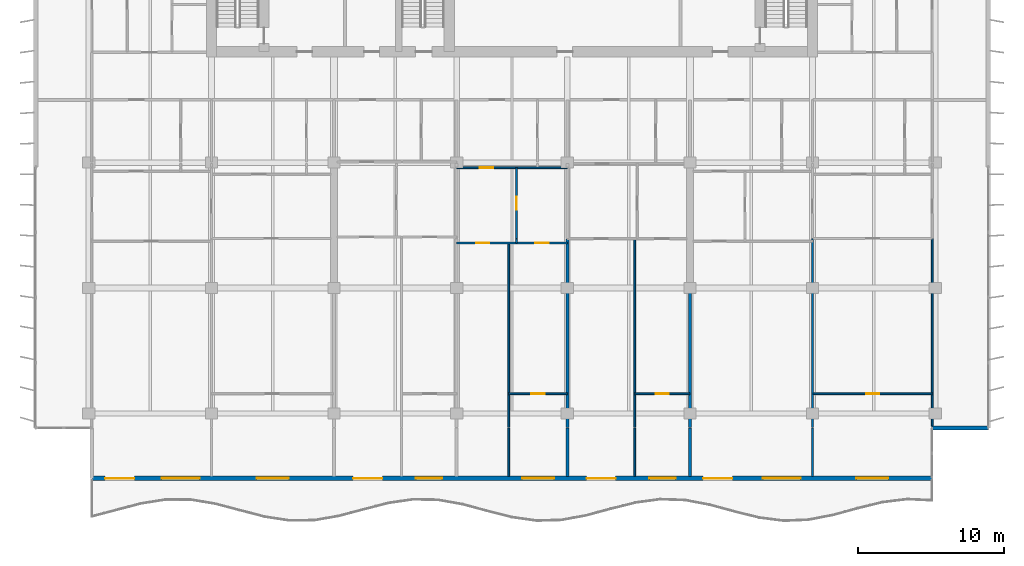
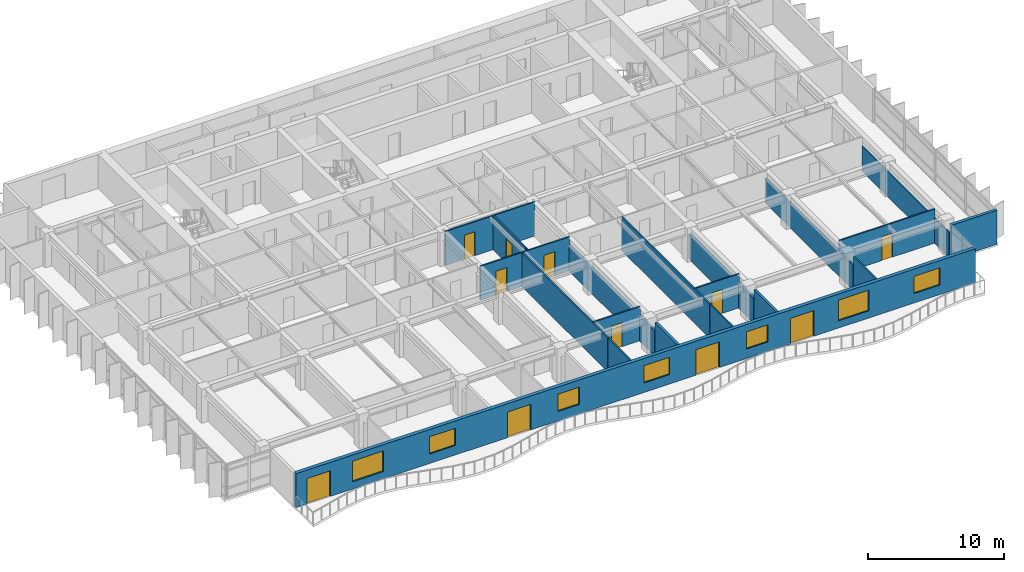
# One storey, part 9 of 18: 20 walls, 11 doors, 7 windows, 18 openings.
"""IFC4 building model written with IfcOpenShell, lengths in metres."""

from ifc_helpers import new_model, si_unit, direction, frame, frame_2d, origin, place, context, subcontext, project, spatial, rectangle, extrude, material, layer, layer_set, type_object, element, fill, save


model = new_model("IFC4")

# Units and contexts
model_context = context("Model", 3, precision=1e-05, world=origin(), true_north=direction((0.0, 1.0)))
body_context = subcontext(model_context, "Body", "Model", "MODEL_VIEW")
ifc_project = project(units=[si_unit("LENGTHUNIT", "METRE"), si_unit("AREAUNIT", "SQUARE_METRE"), si_unit("VOLUMEUNIT", "CUBIC_METRE"), si_unit("PLANEANGLEUNIT", "RADIAN"), si_unit("MASSUNIT", "GRAM", prefix="KILO")], contexts=[model_context])

# Site, building, storey
site_placement = place(None, origin())
site = spatial("IfcSite", under=ifc_project, at=site_placement, CompositionType="ELEMENT")
building_placement = place(site_placement, origin())
building = spatial("IfcBuilding", under=site, at=building_placement, Name="Caelmar Bay Residences", CompositionType="ELEMENT")
storey_placement = place(building_placement, frame((0.0, 0.0, 170.39990234375)))
storey = spatial("IfcBuildingStorey", under=building, at=storey_placement, Name="L47", CompositionType="ELEMENT", Elevation=170.39990234375)

# Wall
ifc_material_1 = material(Name="Precast concrete f'c 40 MPa (6,000 psi)", Category="concrete")
ifc_layer_1 = layer(ifc_material_1, 0.25)
ifc_layer_set_1 = layer_set([ifc_layer_1], Name="Precast concrete f'c 40 MPa (6,000 psi)")
wall_type_1 = type_object("IfcWallType", Name="W-EXT-250", PredefinedType="ELEMENTEDWALL", material=ifc_layer_set_1)
wall_1_placement = place(storey_placement, frame((67.699951171875, 11.199951171875, 0.0), z_axis=(0.0, 0.0, 1.0), x_axis=(1.0, 0.0, 0.0)))
element("IfcWall", 1, at=wall_1_placement, inside=storey, type_object=wall_type_1, Name="L47 SE Notch Return Wall", PredefinedType="ELEMENTEDWALL", context=body_context, shape_type="SweptSolid", body=[
    extrude(rectangle(XDim=3.85009765625, YDim=0.25, at=frame_2d((1.925048828125, 0.0))), origin(), (0.0, 0.0, 1.0), 3.050048828125),
])

# Wall, openings, doors, windows
ifc_layer_2 = layer(ifc_material_1, 0.300048828125)
ifc_layer_set_2 = layer_set([ifc_layer_2], Name="Precast concrete f'c 40 MPa (6,000 psi)")
wall_type_2 = type_object("IfcWallType", Name="W-EXT-300", PredefinedType="STANDARD", material=ifc_layer_set_2)
wall_2_placement = place(storey_placement, frame((67.699951171875, 7.75, 0.0), z_axis=(0.0, 0.0, 1.0), x_axis=(-1.0, 0.0, 0.0)))
wall_2 = element("IfcWall", 2, at=wall_2_placement, inside=storey, type_object=wall_type_2, Name="L47 South Bayfront Exterior Wall", PredefinedType="STANDARD", context=body_context, shape_type="SweptSolid", body=[
    extrude(rectangle(XDim=57.599853515625, YDim=0.300048828125, at=frame_2d((28.7998046875, 0.0))), origin(), (0.0, 0.0, 1.0), 3.050048828125),
])
opening_1_placement = place(wall_2_placement, frame((54.68994140625, 0.0, 0.0)))
opening_1 = element("IfcOpeningElement", 3, at=opening_1_placement, cuts=wall_2, Name="Opening L47-BD01", PredefinedType="OPENING", context=body_context, shape_type="SweptSolid", body=[
    extrude(rectangle(XDim=2.0, YDim=2.300048828125, at=frame_2d((1.0, 1.14990234375))), frame((0.0, 0.159912109375, 0.0), z_axis=(0.0, -1.0, 0.0), x_axis=(1.0, 0.0, 0.0)), (0.0, 0.0, 1.0), 0.320068359375),
])
opening_2_placement = place(wall_2_placement, frame((50.2099609375, 0.0, 0.64990234375)))
opening_2 = element("IfcOpeningElement", 4, at=opening_2_placement, cuts=wall_2, Name="Opening WN3", PredefinedType="OPENING", context=body_context, shape_type="SweptSolid", body=[
    extrude(rectangle(XDim=2.60009765625, YDim=1.85009765625, at=frame_2d((1.300048828125, 0.925048828125))), frame((0.0, 0.159912109375, 0.0), z_axis=(0.0, -1.0, 0.0), x_axis=(1.0, 0.0, 0.0)), (0.0, 0.0, 1.0), 0.320068359375),
])
opening_3_placement = place(wall_2_placement, frame((44.10009765625, 0.0, 0.85009765625)))
opening_3 = element("IfcOpeningElement", 5, at=opening_3_placement, cuts=wall_2, Name="Opening WN2", PredefinedType="OPENING", context=body_context, shape_type="SweptSolid", body=[
    extrude(rectangle(XDim=2.199951171875, YDim=1.550048828125, at=frame_2d((1.10009765625, 0.77490234375))), frame((0.0, 0.159912109375, 0.0), z_axis=(0.0, -1.0, 0.0), x_axis=(1.0, 0.0, 0.0)), (0.0, 0.0, 1.0), 0.320068359375),
])
opening_4_placement = place(wall_2_placement, frame((37.68994140625, 0.0, 0.0)))
opening_4 = element("IfcOpeningElement", 6, at=opening_4_placement, cuts=wall_2, Name="Opening L47-BD02", PredefinedType="OPENING", context=body_context, shape_type="SweptSolid", body=[
    extrude(rectangle(XDim=2.0, YDim=2.300048828125, at=frame_2d((1.0, 1.14990234375))), frame((0.0, 0.159912109375, 0.0), z_axis=(0.0, -1.0, 0.0), x_axis=(1.0, 0.0, 0.0)), (0.0, 0.0, 1.0), 0.320068359375),
])
opening_5_placement = place(wall_2_placement, frame((33.590087890625, 0.0, 0.85009765625)))
opening_5 = element("IfcOpeningElement", 7, at=opening_5_placement, cuts=wall_2, Name="Opening WN1", PredefinedType="OPENING", context=body_context, shape_type="SweptSolid", body=[
    extrude(rectangle(XDim=1.800048828125, YDim=1.550048828125, at=frame_2d((0.89990234375, 0.77490234375))), frame((0.0, 0.159912109375, 0.0), z_axis=(0.0, -1.0, 0.0), x_axis=(1.0, 0.0, 0.0)), (0.0, 0.0, 1.0), 0.320068359375),
])
opening_6_placement = place(wall_2_placement, frame((25.9140625, 0.0, 0.85009765625)))
opening_6 = element("IfcOpeningElement", 8, at=opening_6_placement, cuts=wall_2, Name="Opening WN2", PredefinedType="OPENING", context=body_context, shape_type="SweptSolid", body=[
    extrude(rectangle(XDim=2.199951171875, YDim=1.550048828125, at=frame_2d((1.10009765625, 0.77490234375))), frame((0.0, 0.159912109375, 0.0), z_axis=(0.0, -1.0, 0.0), x_axis=(1.0, 0.0, 0.0)), (0.0, 0.0, 1.0), 0.320068359375),
])
opening_7_placement = place(wall_2_placement, frame((21.68994140625, 0.0, 0.0)))
opening_7 = element("IfcOpeningElement", 9, at=opening_7_placement, cuts=wall_2, Name="Opening L47-BD03", PredefinedType="OPENING", context=body_context, shape_type="SweptSolid", body=[
    extrude(rectangle(XDim=2.0, YDim=2.300048828125, at=frame_2d((1.0, 1.14990234375))), frame((0.0, 0.159912109375, 0.0), z_axis=(0.0, -1.0, 0.0), x_axis=(1.0, 0.0, 0.0)), (0.0, 0.0, 1.0), 0.320068359375),
])
opening_8_placement = place(wall_2_placement, frame((17.590087890625, 0.0, 0.85009765625)))
opening_8 = element("IfcOpeningElement", 10, at=opening_8_placement, cuts=wall_2, Name="Opening WN1", PredefinedType="OPENING", context=body_context, shape_type="SweptSolid", body=[
    extrude(rectangle(XDim=1.800048828125, YDim=1.550048828125, at=frame_2d((0.89990234375, 0.77490234375))), frame((0.0, 0.159912109375, 0.0), z_axis=(0.0, -1.0, 0.0), x_axis=(1.0, 0.0, 0.0)), (0.0, 0.0, 1.0), 0.320068359375),
])
opening_9_placement = place(wall_2_placement, frame((13.68994140625, 0.0, 0.0)))
opening_9 = element("IfcOpeningElement", 11, at=opening_9_placement, cuts=wall_2, Name="Opening L47-BD04", PredefinedType="OPENING", context=body_context, shape_type="SweptSolid", body=[
    extrude(rectangle(XDim=2.0, YDim=2.300048828125, at=frame_2d((1.0, 1.14990234375))), frame((0.0, 0.159912109375, 0.0), z_axis=(0.0, -1.0, 0.0), x_axis=(1.0, 0.0, 0.0)), (0.0, 0.0, 1.0), 0.320068359375),
])
opening_10_placement = place(wall_2_placement, frame((9.010009765625, 0.0, 0.64990234375)))
opening_10 = element("IfcOpeningElement", 12, at=opening_10_placement, cuts=wall_2, Name="Opening WN3", PredefinedType="OPENING", context=body_context, shape_type="SweptSolid", body=[
    extrude(rectangle(XDim=2.60009765625, YDim=1.85009765625, at=frame_2d((1.300048828125, 0.925048828125))), frame((0.0, 0.159912109375, 0.0), z_axis=(0.0, -1.0, 0.0), x_axis=(1.0, 0.0, 0.0)), (0.0, 0.0, 1.0), 0.320068359375),
])
opening_11_placement = place(wall_2_placement, frame((3.0, 0.0, 0.85009765625)))
opening_11 = element("IfcOpeningElement", 13, at=opening_11_placement, cuts=wall_2, Name="Opening WN2", PredefinedType="OPENING", context=body_context, shape_type="SweptSolid", body=[
    extrude(rectangle(XDim=2.199951171875, YDim=1.550048828125, at=frame_2d((1.10009765625, 0.77490234375))), frame((0.0, 0.159912109375, 0.0), z_axis=(0.0, -1.0, 0.0), x_axis=(1.0, 0.0, 0.0)), (0.0, 0.0, 1.0), 0.320068359375),
])
ifc_material_2 = material(Name="Anodised bronze thermally broken sliding glass door", Category="glass")
ifc_layer_3 = layer(ifc_material_2, 0.050048828125)
ifc_layer_set_3 = layer_set([ifc_layer_3], Name="Anodised bronze thermally broken sliding glass door")
door_type_1 = type_object("IfcDoorType", Name="D-BAL-2000", OperationType="DOUBLE_DOOR_SLIDING", PredefinedType="DOOR", material=ifc_layer_set_3)
door_1_placement = place(opening_1_placement, origin())
door_1 = element("IfcDoor", 14, at=door_1_placement, inside=storey, type_object=door_type_1, Name="L47 Residence 01 Penthouse Living Salon Balcony Door", OperationType="DOUBLE_DOOR_SLIDING", OverallHeight=2.300048828125, OverallWidth=2.0, PredefinedType="DOOR", context=body_context, shape_type="SweptSolid", body=[
    extrude(rectangle(XDim=2.0, YDim=2.300048828125, at=frame_2d((1.0, 1.14990234375))), frame((0.0, 0.02490234375, 0.0), z_axis=(0.0, -1.0, 0.0), x_axis=(1.0, 0.0, 0.0)), (0.0, 0.0, 1.0), 0.050048828125),
])
fill(opening_1, door_1)
door_2_placement = place(opening_4_placement, origin())
door_2 = element("IfcDoor", 15, at=door_2_placement, inside=storey, type_object=door_type_1, Name="L47 Residence 02 Penthouse Living Salon Balcony Door", OperationType="DOUBLE_DOOR_SLIDING", OverallHeight=2.300048828125, OverallWidth=2.0, PredefinedType="DOOR", context=body_context, shape_type="SweptSolid", body=[
    extrude(rectangle(XDim=2.0, YDim=2.300048828125, at=frame_2d((1.0, 1.14990234375))), frame((0.0, 0.02490234375, 0.0), z_axis=(0.0, -1.0, 0.0), x_axis=(1.0, 0.0, 0.0)), (0.0, 0.0, 1.0), 0.050048828125),
])
fill(opening_4, door_2)
door_3_placement = place(opening_7_placement, origin())
door_3 = element("IfcDoor", 16, at=door_3_placement, inside=storey, type_object=door_type_1, Name="L47 Residence 04 Living Room Balcony Door", OperationType="DOUBLE_DOOR_SLIDING", OverallHeight=2.300048828125, OverallWidth=2.0, PredefinedType="DOOR", context=body_context, shape_type="SweptSolid", body=[
    extrude(rectangle(XDim=2.0, YDim=2.300048828125, at=frame_2d((1.0, 1.14990234375))), frame((0.0, 0.02490234375, 0.0), z_axis=(0.0, -1.0, 0.0), x_axis=(1.0, 0.0, 0.0)), (0.0, 0.0, 1.0), 0.050048828125),
])
fill(opening_7, door_3)
door_4_placement = place(opening_9_placement, origin())
door_4 = element("IfcDoor", 17, at=door_4_placement, inside=storey, type_object=door_type_1, Name="L47 Residence 05 Penthouse Living Salon Balcony Door", OperationType="DOUBLE_DOOR_SLIDING", OverallHeight=2.300048828125, OverallWidth=2.0, PredefinedType="DOOR", context=body_context, shape_type="SweptSolid", body=[
    extrude(rectangle(XDim=2.0, YDim=2.300048828125, at=frame_2d((1.0, 1.14990234375))), frame((0.0, 0.02490234375, 0.0), z_axis=(0.0, -1.0, 0.0), x_axis=(1.0, 0.0, 0.0)), (0.0, 0.0, 1.0), 0.050048828125),
])
fill(opening_9, door_4)
ifc_material_3 = material(Name="Bronze aluminium frame with laminated low-E glass", Category="aluminium")
ifc_layer_4 = layer(ifc_material_3, 0.06005859375)
ifc_layer_set_4 = layer_set([ifc_layer_4], Name="Bronze aluminium frame with laminated low-E glass")
window_type_1 = type_object("IfcWindowType", Name="WIN-BR-1800", PartitioningType="SINGLE_PANEL", PredefinedType="WINDOW", material=ifc_layer_set_4)
window_1_placement = place(opening_5_placement, origin())
window_1 = element("IfcWindow", 18, at=window_1_placement, inside=storey, type_object=window_type_1, Name="L47 Residence 02 Primary Bedroom Window", OverallHeight=1.550048828125, OverallWidth=1.800048828125, PartitioningType="SINGLE_PANEL", PredefinedType="WINDOW", context=body_context, shape_type="SweptSolid", body=[
    extrude(rectangle(XDim=1.800048828125, YDim=1.550048828125, at=frame_2d((0.89990234375, 0.77490234375))), frame((0.0, 0.030029296875, 0.0), z_axis=(0.0, -1.0, 0.0), x_axis=(1.0, 0.0, 0.0)), (0.0, 0.0, 1.0), 0.06005859375),
])
fill(opening_5, window_1)
window_2_placement = place(opening_8_placement, origin())
window_2 = element("IfcWindow", 19, at=window_2_placement, inside=storey, type_object=window_type_1, Name="L47 Residence 04 Primary Bedroom Window", OverallHeight=1.550048828125, OverallWidth=1.800048828125, PartitioningType="SINGLE_PANEL", PredefinedType="WINDOW", context=body_context, shape_type="SweptSolid", body=[
    extrude(rectangle(XDim=1.800048828125, YDim=1.550048828125, at=frame_2d((0.89990234375, 0.77490234375))), frame((0.0, 0.030029296875, 0.0), z_axis=(0.0, -1.0, 0.0), x_axis=(1.0, 0.0, 0.0)), (0.0, 0.0, 1.0), 0.06005859375),
])
fill(opening_8, window_2)
ifc_layer_5 = layer(ifc_material_3, 0.06005859375)
ifc_layer_set_5 = layer_set([ifc_layer_5], Name="Bronze aluminium frame with laminated low-E glass")
window_type_2 = type_object("IfcWindowType", Name="WIN-BR-2200", PartitioningType="SINGLE_PANEL", PredefinedType="WINDOW", material=ifc_layer_set_5)
window_3_placement = place(opening_3_placement, origin())
window_3 = element("IfcWindow", 20, at=window_3_placement, inside=storey, type_object=window_type_2, Name="L47 Residence 01 Primary Bedroom 1 Window", OverallHeight=1.550048828125, OverallWidth=2.199951171875, PartitioningType="SINGLE_PANEL", PredefinedType="WINDOW", context=body_context, shape_type="SweptSolid", body=[
    extrude(rectangle(XDim=2.199951171875, YDim=1.550048828125, at=frame_2d((1.10009765625, 0.77490234375))), frame((0.0, 0.030029296875, 0.0), z_axis=(0.0, -1.0, 0.0), x_axis=(1.0, 0.0, 0.0)), (0.0, 0.0, 1.0), 0.06005859375),
])
fill(opening_3, window_3)
window_4_placement = place(opening_6_placement, origin())
window_4 = element("IfcWindow", 21, at=window_4_placement, inside=storey, type_object=window_type_2, Name="L47 Residence 03 Primary Bedroom Window", OverallHeight=1.550048828125, OverallWidth=2.199951171875, PartitioningType="SINGLE_PANEL", PredefinedType="WINDOW", context=body_context, shape_type="SweptSolid", body=[
    extrude(rectangle(XDim=2.199951171875, YDim=1.550048828125, at=frame_2d((1.10009765625, 0.77490234375))), frame((0.0, 0.030029296875, 0.0), z_axis=(0.0, -1.0, 0.0), x_axis=(1.0, 0.0, 0.0)), (0.0, 0.0, 1.0), 0.06005859375),
])
fill(opening_6, window_4)
window_5_placement = place(opening_11_placement, origin())
window_5 = element("IfcWindow", 22, at=window_5_placement, inside=storey, type_object=window_type_2, Name="L47 Residence 05 Primary Bedroom 1 Window", OverallHeight=1.550048828125, OverallWidth=2.199951171875, PartitioningType="SINGLE_PANEL", PredefinedType="WINDOW", context=body_context, shape_type="SweptSolid", body=[
    extrude(rectangle(XDim=2.199951171875, YDim=1.550048828125, at=frame_2d((1.10009765625, 0.77490234375))), frame((0.0, 0.030029296875, 0.0), z_axis=(0.0, -1.0, 0.0), x_axis=(1.0, 0.0, 0.0)), (0.0, 0.0, 1.0), 0.06005859375),
])
fill(opening_11, window_5)
ifc_layer_6 = layer(ifc_material_3, 0.06005859375)
ifc_layer_set_6 = layer_set([ifc_layer_6], Name="Bronze aluminium frame with laminated low-E glass")
window_type_3 = type_object("IfcWindowType", Name="WIN-LIV-2600", PartitioningType="SINGLE_PANEL", PredefinedType="WINDOW", material=ifc_layer_set_6)
window_6_placement = place(opening_2_placement, origin())
window_6 = element("IfcWindow", 23, at=window_6_placement, inside=storey, type_object=window_type_3, Name="L47 Residence 01 Penthouse Living Salon Panoramic Window", OverallHeight=1.85009765625, OverallWidth=2.60009765625, PartitioningType="SINGLE_PANEL", PredefinedType="WINDOW", context=body_context, shape_type="SweptSolid", body=[
    extrude(rectangle(XDim=2.60009765625, YDim=1.85009765625, at=frame_2d((1.300048828125, 0.925048828125))), frame((0.0, 0.030029296875, 0.0), z_axis=(0.0, -1.0, 0.0), x_axis=(1.0, 0.0, 0.0)), (0.0, 0.0, 1.0), 0.06005859375),
])
fill(opening_2, window_6)
window_7_placement = place(opening_10_placement, origin())
window_7 = element("IfcWindow", 24, at=window_7_placement, inside=storey, type_object=window_type_3, Name="L47 Residence 05 Penthouse Living Salon Panoramic Window", OverallHeight=1.85009765625, OverallWidth=2.60009765625, PartitioningType="SINGLE_PANEL", PredefinedType="WINDOW", context=body_context, shape_type="SweptSolid", body=[
    extrude(rectangle(XDim=2.60009765625, YDim=1.85009765625, at=frame_2d((1.300048828125, 0.925048828125))), frame((0.0, 0.030029296875, 0.0), z_axis=(0.0, -1.0, 0.0), x_axis=(1.0, 0.0, 0.0)), (0.0, 0.0, 1.0), 0.06005859375),
])
fill(opening_10, window_7)

# Walls
ifc_material_4 = material(Name="Acoustic metal-stud gypsum partition 120 mm")
ifc_layer_7 = layer(ifc_material_4, 0.1201171875)
ifc_layer_set_7 = layer_set([ifc_layer_7], Name="Acoustic metal-stud gypsum partition 120 mm")
wall_type_3 = type_object("IfcWallType", Name="W-PRT-120", PredefinedType="PARTITIONING", material=ifc_layer_set_7)
wall_3_placement = place(storey_placement, frame((38.672119140625, 7.89501953125, 0.0), z_axis=(0.0, 0.0, 1.0), x_axis=(0.0, 1.0, 0.0)))
element("IfcWall", 25, at=wall_3_placement, inside=storey, type_object=wall_type_3, Name="L47 Partition Wall V042", PredefinedType="PARTITIONING", context=body_context, shape_type="SweptSolid", body=[
    extrude(rectangle(XDim=3.304931640625, YDim=0.1201171875, at=frame_2d((1.65234375, 0.0))), origin(), (0.0, 0.0, 1.0), 3.050048828125),
])
wall_4_placement = place(storey_placement, frame((38.672119140625, 11.239990234375, 0.0), z_axis=(0.0, 0.0, 1.0), x_axis=(0.0, 1.0, 0.0)))
element("IfcWall", 26, at=wall_4_placement, inside=storey, type_object=wall_type_3, Name="L47 Partition Wall V043", PredefinedType="PARTITIONING", context=body_context, shape_type="SweptSolid", body=[
    extrude(rectangle(XDim=12.64990234375, YDim=0.1201171875, at=frame_2d((6.324951171875, 0.0))), origin(), (0.0, 0.0, 1.0), 3.050048828125),
])
wall_5_placement = place(storey_placement, frame((39.2041015625, 23.889892578125, 0.0), z_axis=(0.0, 0.0, 1.0), x_axis=(0.0, 1.0, 0.0)))
element("IfcWall", 27, at=wall_5_placement, inside=storey, type_object=wall_type_3, Name="L47 Partition Wall V044", PredefinedType="PARTITIONING", context=body_context, shape_type="SweptSolid", body=[
    extrude(rectangle(XDim=0.280029296875, YDim=0.1201171875, at=frame_2d((0.14013671875, 0.0))), origin(), (0.0, 0.0, 1.0), 3.050048828125),
])

# Wall, opening, door
wall_6_placement = place(storey_placement, frame((39.2041015625, 24.199951171875, 0.0), z_axis=(0.0, 0.0, 1.0), x_axis=(0.0, 1.0, 0.0)))
wall_6 = element("IfcWall", 28, at=wall_6_placement, inside=storey, type_object=wall_type_3, Name="L47 Partition Wall V045", PredefinedType="PARTITIONING", context=body_context, shape_type="SweptSolid", body=[
    extrude(rectangle(XDim=4.840087890625, YDim=0.1201171875, at=frame_2d((2.419921875, 0.0))), origin(), (0.0, 0.0, 1.0), 3.050048828125),
])
opening_12_placement = place(wall_6_placement, frame((1.969970703125, 0.0, 0.0)))
opening_12 = element("IfcOpeningElement", 29, at=opening_12_placement, cuts=wall_6, Name="Opening D-L47-142", PredefinedType="OPENING", context=body_context, shape_type="SweptSolid", body=[
    extrude(rectangle(XDim=0.89990234375, YDim=2.14990234375, at=frame_2d((0.449951171875, 1.074951171875))), frame((0.0, 0.070068359375, 0.0), z_axis=(0.0, -1.0, 0.0), x_axis=(1.0, 0.0, 0.0)), (0.0, 0.0, 1.0), 0.14013671875),
])
ifc_material_5 = material(Name="Solid walnut timber interior door leaf and frame", Category="wood")
ifc_layer_8 = layer(ifc_material_5, 0.050048828125)
ifc_layer_set_8 = layer_set([ifc_layer_8], Name="Solid walnut timber interior door leaf and frame")
door_type_2 = type_object("IfcDoorType", Name="D-ROOM-900", OperationType="NOTDEFINED", PredefinedType="DOOR", material=ifc_layer_set_8)
door_5_placement = place(opening_12_placement, origin())
door_5 = element("IfcDoor", 30, at=door_5_placement, inside=storey, type_object=door_type_2, Name="L47 Residence 03 Home Office Door", OperationType="SINGLE_SWING_LEFT", OverallHeight=2.14990234375, OverallWidth=0.89990234375, PredefinedType="DOOR", context=body_context, shape_type="SweptSolid", body=[
    extrude(rectangle(XDim=0.89990234375, YDim=2.14990234375, at=frame_2d((0.449951171875, 1.074951171875))), frame((0.0, 0.02490234375, 0.0), z_axis=(0.0, -1.0, 0.0), x_axis=(1.0, 0.0, 0.0)), (0.0, 0.0, 1.0), 0.050048828125),
])
fill(opening_12, door_5)

# Walls
wall_7_placement = place(storey_placement, frame((47.320068359375, 7.89501953125, 0.0), z_axis=(0.0, 0.0, 1.0), x_axis=(0.0, 1.0, 0.0)))
element("IfcWall", 31, at=wall_7_placement, inside=storey, type_object=wall_type_3, Name="L47 Partition Wall V056", PredefinedType="PARTITIONING", context=body_context, shape_type="SweptSolid", body=[
    extrude(rectangle(XDim=3.304931640625, YDim=0.1201171875, at=frame_2d((1.65234375, 0.0))), origin(), (0.0, 0.0, 1.0), 3.050048828125),
])
wall_8_placement = place(storey_placement, frame((47.320068359375, 11.239990234375, 0.0), z_axis=(0.0, 0.0, 1.0), x_axis=(0.0, 1.0, 0.0)))
element("IfcWall", 32, at=wall_8_placement, inside=storey, type_object=wall_type_3, Name="L47 Partition Wall V057", PredefinedType="PARTITIONING", context=body_context, shape_type="SweptSolid", body=[
    extrude(rectangle(XDim=12.929931640625, YDim=0.1201171875, at=frame_2d((6.46484375, 0.0))), origin(), (0.0, 0.0, 1.0), 3.050048828125),
])
wall_9_placement = place(storey_placement, frame((59.5, 7.89501953125, 0.0), z_axis=(0.0, 0.0, 1.0), x_axis=(0.0, 1.0, 0.0)))
element("IfcWall", 33, at=wall_9_placement, inside=storey, type_object=wall_type_3, Name="L47 Partition Wall V075", PredefinedType="PARTITIONING", context=body_context, shape_type="SweptSolid", body=[
    extrude(rectangle(XDim=3.304931640625, YDim=0.1201171875, at=frame_2d((1.65234375, 0.0))), origin(), (0.0, 0.0, 1.0), 3.050048828125),
])
wall_10_placement = place(storey_placement, frame((59.5, 11.239990234375, 0.0), z_axis=(0.0, 0.0, 1.0), x_axis=(0.0, 1.0, 0.0)))
element("IfcWall", 34, at=wall_10_placement, inside=storey, type_object=wall_type_3, Name="L47 Partition Wall V076", PredefinedType="PARTITIONING", context=body_context, shape_type="SweptSolid", body=[
    extrude(rectangle(XDim=12.929931640625, YDim=0.1201171875, at=frame_2d((6.46484375, 0.0))), origin(), (0.0, 0.0, 1.0), 2.26318359375),
])
wall_11_placement = place(storey_placement, frame((67.699951171875, 11.320068359375, 0.0), z_axis=(0.0, 0.0, 1.0), x_axis=(0.0, 1.0, 0.0)))
element("IfcWall", 35, at=wall_11_placement, inside=storey, type_object=wall_type_3, Name="L47 Partition Wall V085", PredefinedType="PARTITIONING", context=body_context, shape_type="SweptSolid", body=[
    extrude(rectangle(XDim=12.849853515625, YDim=0.1201171875, at=frame_2d((6.4248046875, 0.0))), origin(), (0.0, 0.0, 1.0), 2.26318359375),
])

# Wall, opening, door
wall_12_placement = place(storey_placement, frame((38.672119140625, 13.550048828125, 0.0), z_axis=(0.0, 0.0, 1.0), x_axis=(1.0, 0.0, 0.0)))
wall_12 = element("IfcWall", 36, at=wall_12_placement, inside=storey, type_object=wall_type_3, Name="L47 Partition Wall H094", PredefinedType="PARTITIONING", context=body_context, shape_type="SweptSolid", body=[
    extrude(rectangle(XDim=4.02783203125, YDim=0.1201171875, at=frame_2d((2.013916015625, 0.0))), origin(), (0.0, 0.0, 1.0), 3.050048828125),
])
opening_13_placement = place(wall_12_placement, frame((1.56396484375, 0.0, 0.0)))
opening_13 = element("IfcOpeningElement", 37, at=opening_13_placement, cuts=wall_12, Name="Opening D-L47-145", PredefinedType="OPENING", context=body_context, shape_type="SweptSolid", body=[
    extrude(rectangle(XDim=0.89990234375, YDim=2.14990234375, at=frame_2d((0.449951171875, 1.074951171875))), frame((0.0, 0.070068359375, 0.0), z_axis=(0.0, -1.0, 0.0), x_axis=(1.0, 0.0, 0.0)), (0.0, 0.0, 1.0), 0.14013671875),
])
door_6_placement = place(opening_13_placement, origin())
door_6 = element("IfcDoor", 38, at=door_6_placement, inside=storey, type_object=door_type_2, Name="L47 Residence 03 Primary Bedroom Door", OperationType="SINGLE_SWING_RIGHT", OverallHeight=2.14990234375, OverallWidth=0.89990234375, PredefinedType="DOOR", context=body_context, shape_type="SweptSolid", body=[
    extrude(rectangle(XDim=0.89990234375, YDim=2.14990234375, at=frame_2d((0.449951171875, 1.074951171875))), frame((0.0, 0.02490234375, 0.0), z_axis=(0.0, -1.0, 0.0), x_axis=(1.0, 0.0, 0.0)), (0.0, 0.0, 1.0), 0.050048828125),
])
fill(opening_13, door_6)

wall_13_placement = place(storey_placement, frame((47.320068359375, 13.550048828125, 0.0), z_axis=(0.0, 0.0, 1.0), x_axis=(1.0, 0.0, 0.0)))
wall_13 = element("IfcWall", 39, at=wall_13_placement, inside=storey, type_object=wall_type_3, Name="L47 Partition Wall H095", PredefinedType="PARTITIONING", context=body_context, shape_type="SweptSolid", body=[
    extrude(rectangle(XDim=3.780029296875, YDim=0.1201171875, at=frame_2d((1.89013671875, 0.0))), origin(), (0.0, 0.0, 1.0), 3.050048828125),
])
opening_14_placement = place(wall_13_placement, frame((1.43994140625, 0.0, 0.0)))
opening_14 = element("IfcOpeningElement", 40, at=opening_14_placement, cuts=wall_13, Name="Opening D-L47-152", PredefinedType="OPENING", context=body_context, shape_type="SweptSolid", body=[
    extrude(rectangle(XDim=0.89990234375, YDim=2.14990234375, at=frame_2d((0.449951171875, 1.074951171875))), frame((0.0, 0.070068359375, 0.0), z_axis=(0.0, -1.0, 0.0), x_axis=(1.0, 0.0, 0.0)), (0.0, 0.0, 1.0), 0.14013671875),
])
door_7_placement = place(opening_14_placement, origin())
door_7 = element("IfcDoor", 41, at=door_7_placement, inside=storey, type_object=door_type_2, Name="L47 Residence 04 Primary Bedroom Door", OperationType="SINGLE_SWING_LEFT", OverallHeight=2.14990234375, OverallWidth=0.89990234375, PredefinedType="DOOR", context=body_context, shape_type="SweptSolid", body=[
    extrude(rectangle(XDim=0.89990234375, YDim=2.14990234375, at=frame_2d((0.449951171875, 1.074951171875))), frame((0.0, 0.02490234375, 0.0), z_axis=(0.0, -1.0, 0.0), x_axis=(1.0, 0.0, 0.0)), (0.0, 0.0, 1.0), 0.050048828125),
])
fill(opening_14, door_7)

wall_14_placement = place(storey_placement, frame((59.550048828125, 13.550048828125, 0.0), z_axis=(0.0, 0.0, 1.0), x_axis=(1.0, 0.0, 0.0)))
wall_14 = element("IfcWall", 42, at=wall_14_placement, inside=storey, type_object=wall_type_3, Name="L47 Partition Wall H096", PredefinedType="PARTITIONING", context=body_context, shape_type="SweptSolid", body=[
    extrude(rectangle(XDim=8.14990234375, YDim=0.1201171875, at=frame_2d((4.074951171875, 0.0))), origin(), (0.0, 0.0, 1.0), 3.050048828125),
])
opening_15_placement = place(wall_14_placement, frame((3.625, 0.0, 0.0)))
opening_15 = element("IfcOpeningElement", 43, at=opening_15_placement, cuts=wall_14, Name="Opening D-L47-162", PredefinedType="OPENING", context=body_context, shape_type="SweptSolid", body=[
    extrude(rectangle(XDim=0.89990234375, YDim=2.14990234375, at=frame_2d((0.449951171875, 1.074951171875))), frame((0.0, 0.070068359375, 0.0), z_axis=(0.0, -1.0, 0.0), x_axis=(1.0, 0.0, 0.0)), (0.0, 0.0, 1.0), 0.14013671875),
])
door_8_placement = place(opening_15_placement, origin())
door_8 = element("IfcDoor", 44, at=door_8_placement, inside=storey, type_object=door_type_2, Name="L47 Residence 05 Primary Bedroom 1 Door", OperationType="SINGLE_SWING_LEFT", OverallHeight=2.14990234375, OverallWidth=0.89990234375, PredefinedType="DOOR", context=body_context, shape_type="SweptSolid", body=[
    extrude(rectangle(XDim=0.89990234375, YDim=2.14990234375, at=frame_2d((0.449951171875, 1.074951171875))), frame((0.0, 0.02490234375, 0.0), z_axis=(0.0, -1.0, 0.0), x_axis=(1.0, 0.0, 0.0)), (0.0, 0.0, 1.0), 0.050048828125),
])
fill(opening_15, door_8)

# Wall, openings, doors
wall_15_placement = place(storey_placement, frame((35.10009765625, 23.889892578125, 0.0), z_axis=(0.0, 0.0, 1.0), x_axis=(1.0, 0.0, 0.0)))
wall_15 = element("IfcWall", 45, at=wall_15_placement, inside=storey, type_object=wall_type_3, Name="L47 Partition Wall H097", PredefinedType="PARTITIONING", context=body_context, shape_type="SweptSolid", body=[
    extrude(rectangle(XDim=7.599853515625, YDim=0.1201171875, at=frame_2d((3.7998046875, 0.0))), origin(), (0.0, 0.0, 1.0), 3.050048828125),
])
opening_16_placement = place(wall_15_placement, frame((1.3359375, 0.0, 0.0)))
opening_16 = element("IfcOpeningElement", 46, at=opening_16_placement, cuts=wall_15, Name="Opening D-L47-143", PredefinedType="OPENING", context=body_context, shape_type="SweptSolid", body=[
    extrude(rectangle(XDim=0.89990234375, YDim=2.14990234375, at=frame_2d((0.449951171875, 1.074951171875))), frame((0.0, 0.070068359375, 0.0), z_axis=(0.0, -1.0, 0.0), x_axis=(1.0, 0.0, 0.0)), (0.0, 0.0, 1.0), 0.14013671875),
])
opening_17_placement = place(wall_15_placement, frame((5.402099609375, 0.0, 0.0)))
opening_17 = element("IfcOpeningElement", 47, at=opening_17_placement, cuts=wall_15, Name="Opening D-L47-144", PredefinedType="OPENING", context=body_context, shape_type="SweptSolid", body=[
    extrude(rectangle(XDim=0.89990234375, YDim=2.14990234375, at=frame_2d((0.449951171875, 1.074951171875))), frame((0.0, 0.070068359375, 0.0), z_axis=(0.0, -1.0, 0.0), x_axis=(1.0, 0.0, 0.0)), (0.0, 0.0, 1.0), 0.14013671875),
])
door_9_placement = place(opening_16_placement, origin())
door_9 = element("IfcDoor", 48, at=door_9_placement, inside=storey, type_object=door_type_2, Name="L47 Residence 03 Living Room Door", OperationType="SINGLE_SWING_RIGHT", OverallHeight=2.14990234375, OverallWidth=0.89990234375, PredefinedType="DOOR", context=body_context, shape_type="SweptSolid", body=[
    extrude(rectangle(XDim=0.89990234375, YDim=2.14990234375, at=frame_2d((0.449951171875, 1.074951171875))), frame((0.0, 0.02490234375, 0.0), z_axis=(0.0, -1.0, 0.0), x_axis=(1.0, 0.0, 0.0)), (0.0, 0.0, 1.0), 0.050048828125),
])
fill(opening_16, door_9)
door_10_placement = place(opening_17_placement, origin())
door_10 = element("IfcDoor", 49, at=door_10_placement, inside=storey, type_object=door_type_2, Name="L47 Residence 03 Penthouse Sitting Room Door", OperationType="SINGLE_SWING_LEFT", OverallHeight=2.14990234375, OverallWidth=0.89990234375, PredefinedType="DOOR", context=body_context, shape_type="SweptSolid", body=[
    extrude(rectangle(XDim=0.89990234375, YDim=2.14990234375, at=frame_2d((0.449951171875, 1.074951171875))), frame((0.0, 0.02490234375, 0.0), z_axis=(0.0, -1.0, 0.0), x_axis=(1.0, 0.0, 0.0)), (0.0, 0.0, 1.0), 0.050048828125),
])
fill(opening_17, door_10)

# Wall, opening, door
wall_16_placement = place(storey_placement, frame((35.10009765625, 29.0400390625, 0.0), z_axis=(0.0, 0.0, 1.0), x_axis=(1.0, 0.0, 0.0)))
wall_16 = element("IfcWall", 50, at=wall_16_placement, inside=storey, type_object=wall_type_3, Name="L47 Partition Wall H109", PredefinedType="PARTITIONING", context=body_context, shape_type="SweptSolid", body=[
    extrude(rectangle(XDim=7.599853515625, YDim=0.1201171875, at=frame_2d((3.7998046875, 0.0))), origin(), (0.0, 0.0, 1.0), 3.050048828125),
])
opening_18_placement = place(wall_16_placement, frame((1.60205078125, 0.0, 0.0)))
opening_18 = element("IfcOpeningElement", 51, at=opening_18_placement, cuts=wall_16, Name="Opening D-L47-141", PredefinedType="OPENING", context=body_context, shape_type="SweptSolid", body=[
    extrude(rectangle(XDim=0.89990234375, YDim=2.14990234375, at=frame_2d((0.449951171875, 1.074951171875))), frame((0.0, 0.070068359375, 0.0), z_axis=(0.0, -1.0, 0.0), x_axis=(1.0, 0.0, 0.0)), (0.0, 0.0, 1.0), 0.14013671875),
])
door_11_placement = place(opening_18_placement, origin())
door_11 = element("IfcDoor", 52, at=door_11_placement, inside=storey, type_object=door_type_2, Name="L47 Residence 03 Kitchen Door", OperationType="SINGLE_SWING_RIGHT", OverallHeight=2.14990234375, OverallWidth=0.89990234375, PredefinedType="DOOR", context=body_context, shape_type="SweptSolid", body=[
    extrude(rectangle(XDim=0.89990234375, YDim=2.14990234375, at=frame_2d((0.449951171875, 1.074951171875))), frame((0.0, 0.02490234375, 0.0), z_axis=(0.0, -1.0, 0.0), x_axis=(1.0, 0.0, 0.0)), (0.0, 0.0, 1.0), 0.050048828125),
])
fill(opening_18, door_11)

# Walls
ifc_material_6 = material(Name="Acoustic twin-stud fire-rated inter-tenancy partition 200 mm")
ifc_layer_9 = layer(ifc_material_6, 0.199951171875)
ifc_layer_set_9 = layer_set([ifc_layer_9], Name="Acoustic twin-stud fire-rated inter-tenancy partition 200 mm")
wall_type_4 = type_object("IfcWallType", Name="W-PTY-200", PredefinedType="PARTITIONING", material=ifc_layer_set_9)
wall_17_placement = place(storey_placement, frame((42.699951171875, 7.89501953125, 0.0), z_axis=(0.0, 0.0, 1.0), x_axis=(0.0, 1.0, 0.0)))
element("IfcWall", 53, at=wall_17_placement, inside=storey, type_object=wall_type_4, Name="L47 Partition Wall V048", PredefinedType="PARTITIONING", context=body_context, shape_type="SweptSolid", body=[
    extrude(rectangle(XDim=3.304931640625, YDim=0.199951171875, at=frame_2d((1.65234375, 0.0))), origin(), (0.0, 0.0, 1.0), 3.050048828125),
])
wall_18_placement = place(storey_placement, frame((42.699951171875, 11.239990234375, 0.0), z_axis=(0.0, 0.0, 1.0), x_axis=(0.0, 1.0, 0.0)))
element("IfcWall", 54, at=wall_18_placement, inside=storey, type_object=wall_type_4, Name="L47 Partition Wall V049", PredefinedType="PARTITIONING", context=body_context, shape_type="SweptSolid", body=[
    extrude(rectangle(XDim=12.929931640625, YDim=0.199951171875, at=frame_2d((6.46484375, 0.0))), origin(), (0.0, 0.0, 1.0), 2.26318359375),
])
wall_19_placement = place(storey_placement, frame((51.10009765625, 7.89501953125, 0.0), z_axis=(0.0, 0.0, 1.0), x_axis=(0.0, 1.0, 0.0)))
element("IfcWall", 55, at=wall_19_placement, inside=storey, type_object=wall_type_4, Name="L47 Partition Wall V064", PredefinedType="PARTITIONING", context=body_context, shape_type="SweptSolid", body=[
    extrude(rectangle(XDim=3.304931640625, YDim=0.199951171875, at=frame_2d((1.65234375, 0.0))), origin(), (0.0, 0.0, 1.0), 3.050048828125),
])
wall_20_placement = place(storey_placement, frame((51.10009765625, 11.239990234375, 0.0), z_axis=(0.0, 0.0, 1.0), x_axis=(0.0, 1.0, 0.0)))
element("IfcWall", 56, at=wall_20_placement, inside=storey, type_object=wall_type_4, Name="L47 Partition Wall V065", PredefinedType="PARTITIONING", context=body_context, shape_type="SweptSolid", body=[
    extrude(rectangle(XDim=9.554931640625, YDim=0.199951171875, at=frame_2d((4.77734375, 0.0))), origin(), (0.0, 0.0, 1.0), 2.26318359375),
])

save(model, "model.ifc")
